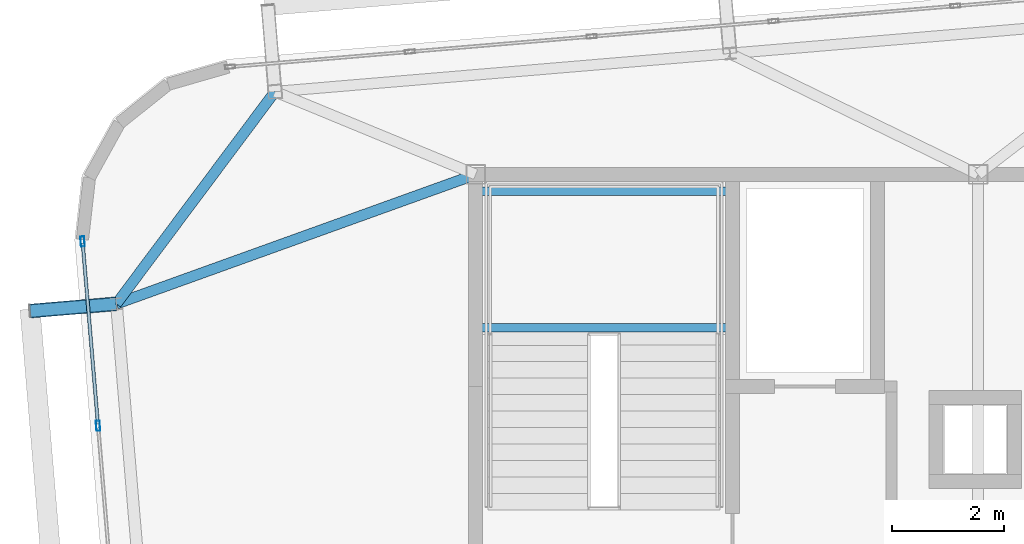
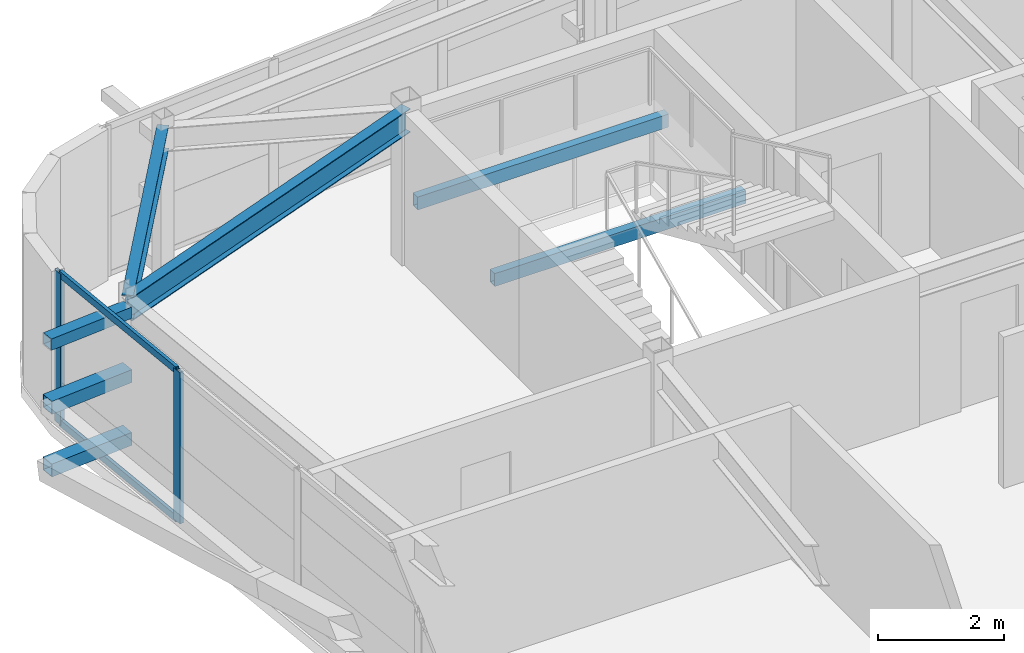
# One storey, part 17 of 46: 7 members, 4 beams, 1 element without a shape of its own.
"""IFC4 building model written with IfcOpenShell, lengths in metres."""

from ifc_helpers import new_model, si_unit, direction, frame, origin, origin_2d, place, context, subcontext, project, spatial, hollow_rectangle, i_section, extrude, source, transform, mapped, material, layer, layer_set, material_profile, profile_set, type_object, element, aggregate, save


model = new_model("IFC4")

# Units and contexts
model_context = context("Model", 3, precision=1e-05, world=origin(), true_north=direction((0.0, 1.0)))
body_context = subcontext(model_context, "Body", "Model", "MODEL_VIEW")
ifc_project = project(units=[si_unit("LENGTHUNIT", "METRE"), si_unit("AREAUNIT", "SQUARE_METRE"), si_unit("VOLUMEUNIT", "CUBIC_METRE"), si_unit("PLANEANGLEUNIT", "RADIAN"), si_unit("MASSUNIT", "GRAM", prefix="KILO")], contexts=[model_context])

# Site, building, storey
site_placement = place(None, origin())
site = spatial("IfcSite", under=ifc_project, at=site_placement, CompositionType="ELEMENT")
building_placement = place(site_placement, origin())
building = spatial("IfcBuilding", under=site, at=building_placement, Name="Taldren Reach Tower", CompositionType="ELEMENT")
storey_placement = place(building_placement, frame((0.0, 0.0, 185.14990234375)))
storey = spatial("IfcBuildingStorey", under=building, at=storey_placement, Name="L56", CompositionType="ELEMENT", Elevation=185.14990234375)

# Beams
ifc_material_1 = material(Name="Steel Gr 350 (350PLUS)", Category="steel")
ifc_material_profile_1 = material_profile(ifc_material_1, i_section(OverallWidth=0.18994140625, OverallDepth=0.4541015625, WebThickness=0.008544921875, FlangeThickness=0.0126953125, at=origin_2d()), Name="460UB67.1")
ifc_profile_set_1 = profile_set([ifc_material_profile_1], Name="Steel Gr 350 (350PLUS)")
beam_type_1 = type_object("IfcBeamType", Name="SP-UB460B", PredefinedType="SPANDREL", material=ifc_profile_set_1)
shared_shape_1 = source(origin(), body_context, "Body", "SweptSolid", [
    extrude(i_section(OverallWidth=0.18994140625, OverallDepth=0.4541015625, WebThickness=0.008544921875, FlangeThickness=0.0126953125, at=origin_2d()), origin(), (0.0, 0.0, 1.0), 4.74609375),
])
beam_1_placement = place(storey_placement, frame((15.40380859375, 33.483642578125, 2.703125), z_axis=(-0.598764719121, -0.800924972226, 0.0), x_axis=(0.800924972226, -0.598764719121, 0.0)))
element("IfcBeam", 1, at=beam_1_placement, inside=storey, type_object=beam_type_1, Name="Perimeter spandrel B4 N1-W3 L56", PredefinedType="SPANDREL", context=body_context, shape_type="MappedRepresentation", body=[
    mapped(shared_shape_1, transform((0.0, 0.0, 0.0), scale=1.0)),
])
ifc_material_profile_2 = material_profile(ifc_material_1, i_section(OverallWidth=0.19091796875, OverallDepth=0.4599609375, WebThickness=0.010009765625, FlangeThickness=0.01611328125, at=origin_2d()), Name="460UB82.1")
ifc_profile_set_2 = profile_set([ifc_material_profile_2], Name="Steel Gr 350 (350PLUS)")
beam_type_2 = type_object("IfcBeamType", Name="BM-UB460A", PredefinedType="BEAM", material=ifc_profile_set_2)
shared_shape_2 = source(origin(), body_context, "Body", "SweptSolid", [
    extrude(i_section(OverallWidth=0.19091796875, OverallDepth=0.4599609375, WebThickness=0.010009765625, FlangeThickness=0.01611328125, at=origin_2d()), origin(), (0.0, 0.0, 1.0), 6.842529296875),
])
beam_2_placement = place(storey_placement, frame((19.0, 32.0, 2.7001953125), z_axis=(-0.940889686088, -0.33871315093, 0.0), x_axis=(0.33871315093, -0.940889686088, 0.0)))
element("IfcBeam", 2, at=beam_2_placement, inside=storey, type_object=beam_type_2, Name="Primary floor girder B4-W3 L56", PredefinedType="BEAM", context=body_context, shape_type="MappedRepresentation", body=[
    mapped(shared_shape_2, transform((0.0, 0.0, 0.0), scale=1.0)),
])

# Members
ifc_material_2 = material(Name="Steel Gr 450 (C450L0)", Category="steel")
ifc_material_profile_3 = material_profile(ifc_material_2, hollow_rectangle(XDim=0.219970703125, YDim=0.219970703125, WallThickness=0.00830078125, at=origin_2d()), Name="220x220x8.2SHS")
ifc_profile_set_3 = profile_set([ifc_material_profile_3], Name="Steel Gr 450 (C450L0)")
member_type_1 = type_object("IfcMemberType", Name="MB-TIE219", PredefinedType="STRUT", material=ifc_profile_set_3)
shared_shape_3 = source(origin(), body_context, "Body", "SweptSolid", [
    extrude(hollow_rectangle(XDim=0.219970703125, YDim=0.219970703125, WallThickness=0.00830078125, at=origin_2d()), origin(), (0.0, 0.0, 1.0), 1.54541015625),
])
member_1_placement = place(storey_placement, frame((12.557373046875, 29.68212890625, 2.650146484375), z_axis=(-0.99648887425, -0.083725285883, 0.0), x_axis=(0.083725285883, -0.99648887425, 0.0)))
element("IfcMember", 3, at=member_1_placement, inside=storey, type_object=member_type_1, Name="Exoskeleton diaphragm tie strut B4-W3 L56", PredefinedType="STRUT", context=body_context, shape_type="MappedRepresentation", body=[
    mapped(shared_shape_3, transform((0.0, 0.0, 0.0), scale=1.0)),
])
ifc_material_3 = material(Name="Steel Gr 350 (C350L0)", Category="steel")
ifc_material_profile_4 = material_profile(ifc_material_3, hollow_rectangle(XDim=0.25, YDim=0.25, WallThickness=0.010009765625, at=origin_2d()), Name="250x250x10.0SHS")
ifc_profile_set_4 = profile_set([ifc_material_profile_4], Name="Steel Gr 350 (C350L0)")
member_type_2 = type_object("IfcMemberType", Name="MB-POST250", PredefinedType="POST", material=ifc_profile_set_4)
shared_shape_4 = source(origin(), body_context, "Body", "SweptSolid", [
    extrude(hollow_rectangle(XDim=0.25, YDim=0.25, WallThickness=0.010009765625, at=origin_2d()), origin(), (0.0, 0.0, 1.0), 1.54541015625),
])
for number, where, z_axis, x_axis, name in (
    (4, (12.557373046875, 29.68212890625, 0.22021484375), (-0.99648887425, -0.083725285883, 0.0), (0.083725285883, -0.99648887425, 0.0), "Exoskeleton base diaphragm tie strut B4-W3 L56"),
    (5, (12.557373046875, 29.68212890625, 1.43505859375), (-0.99648887425, -0.083725285883, 0.0), (0.083725285883, -0.99648887425, 0.0), "Exoskeleton mid-tier diaphragm tie B4-W3 L56"),
):
    element("IfcMember", number, at=place(storey_placement, frame(where, z_axis=z_axis, x_axis=x_axis)), inside=storey, type_object=member_type_2, Name=name, PredefinedType="POST", context=body_context, shape_type="MappedRepresentation", body=[
        mapped(shared_shape_4, transform((0.0, 0.0, 0.0), scale=1.0)),
    ])

# Curtain wall, members
ifc_material_4 = material(Name="Aluminium and Low-E Glass Unitised System", Category="aluminium")
ifc_layer = layer(ifc_material_4, 0.159912109375)
ifc_layer_set = layer_set([ifc_layer], Name="Aluminium and Low-E Glass Unitised System")
curtain_wall_type = type_object("IfcCurtainWallType", Name="CW-SYS-5", PredefinedType="NOTDEFINED", material=ifc_layer_set)
curtain_wall_placement = place(storey_placement, origin())
curtain_wall = element("IfcCurtainWall", 6, at=curtain_wall_placement, inside=storey, type_object=curtain_wall_type, Name="Unitised curtain wall CW-L56-W", PredefinedType="NOTDEFINED")
ifc_material_5 = material(Name="Anodised Aluminium 6063-T6", Category="aluminium")
ifc_material_profile_5 = material_profile(ifc_material_5, hollow_rectangle(XDim=0.070068359375, YDim=0.179931640625, WallThickness=0.00390625, at=origin_2d()), Name="ALU-180x70x4RHS")
ifc_profile_set_5 = profile_set([ifc_material_profile_5], Name="Anodised Aluminium 6063-T6")
member_type_3 = type_object("IfcMemberType", Name="CW-MUL-180", PredefinedType="MULLION", material=ifc_profile_set_5)
shared_shape_5 = source(origin(), body_context, "Body", "SweptSolid", [
    extrude(hollow_rectangle(XDim=0.070068359375, YDim=0.179931640625, WallThickness=0.00390625, at=origin_2d()), origin(), (0.0, 0.0, 1.0), 2.93017578125),
])
member_2_placement = place(storey_placement, frame((11.956298828125, 30.800537109375, 0.0), z_axis=(0.0, 0.0, 1.0), x_axis=(0.996492847789, 0.083677979808, 0.0)))
member_2 = element("IfcMember", 7, at=member_2_placement, type_object=member_type_3, Name="CW-5 mullion 1", PredefinedType="MULLION", context=body_context, shape_type="MappedRepresentation", body=[
    mapped(shared_shape_5, transform((0.0, 0.0, 0.0), scale=1.0)),
])
member_3_placement = place(storey_placement, frame((12.233642578125, 27.497314453125, 0.0), z_axis=(0.0, 0.0, 1.0), x_axis=(0.996492847789, 0.083677979808, 0.0)))
member_3 = element("IfcMember", 8, at=member_3_placement, type_object=member_type_3, Name="CW-5 mullion 2", PredefinedType="MULLION", context=body_context, shape_type="MappedRepresentation", body=[
    mapped(shared_shape_5, transform((0.0, 0.0, 0.0), scale=1.0)),
])
ifc_material_profile_6 = material_profile(ifc_material_5, hollow_rectangle(XDim=0.06005859375, YDim=0.135009765625, WallThickness=0.00341796875, at=origin_2d()), Name="ALU-135x60x3.5RHS")
ifc_profile_set_6 = profile_set([ifc_material_profile_6], Name="Anodised Aluminium 6063-T6")
member_type_4 = type_object("IfcMemberType", Name="CW-TRN-150", PredefinedType="USERDEFINED", material=ifc_profile_set_6)
shared_shape_6 = source(origin(), body_context, "Body", "SweptSolid", [
    extrude(hollow_rectangle(XDim=0.06005859375, YDim=0.135009765625, WallThickness=0.00341796875, at=origin_2d()), origin(), (0.0, 0.0, 1.0), 3.2451171875),
])
member_4_placement = place(storey_placement, frame((11.959228515625, 30.765869140625, 0.030029296875), z_axis=(0.083661876203, -0.996494199918, 0.0), x_axis=(0.996494199918, 0.083661876203, 0.0)))
member_4 = element("IfcMember", 9, at=member_4_placement, type_object=member_type_4, Name="CW-5 transom 1.1", ObjectType="TRANSOM", PredefinedType="USERDEFINED", context=body_context, shape_type="MappedRepresentation", body=[
    mapped(shared_shape_6, transform((0.0, 0.0, 0.0), scale=1.0)),
])
member_5_placement = place(storey_placement, frame((11.959228515625, 30.765869140625, 2.900146484375), z_axis=(0.083661876203, -0.996494199918, 0.0), x_axis=(0.996494199918, 0.083661876203, 0.0)))
member_5 = element("IfcMember", 10, at=member_5_placement, type_object=member_type_4, Name="CW-5 transom 1.2", ObjectType="TRANSOM", PredefinedType="USERDEFINED", context=body_context, shape_type="MappedRepresentation", body=[
    mapped(shared_shape_6, transform((0.0, 0.0, 0.0), scale=1.0)),
])
aggregate(curtain_wall, [member_2, member_3, member_4, member_5])

# Beams
ifc_material_profile_7 = material_profile(ifc_material_3, hollow_rectangle(XDim=0.14990234375, YDim=0.25, WallThickness=0.009033203125, at=origin_2d()), Name="250x150x9.0RHS")
ifc_profile_set_7 = profile_set([ifc_material_profile_7], Name="Steel Gr 350 (C350L0)")
beam_type_3 = type_object("IfcBeamType", Name="LN-RHS250", PredefinedType="LINTEL", material=ifc_profile_set_7)
shared_shape_7 = source(origin(), body_context, "Body", "SweptSolid", [
    extrude(hollow_rectangle(XDim=0.14990234375, YDim=0.25, WallThickness=0.009033203125, at=origin_2d()), origin(), (0.0, 0.0, 1.0), 4.60009765625),
])
for number, where, z_axis, x_axis, name in (
    (11, (19.0, 29.2548828125, 1.27001953125), (1.0, 0.0, 0.0), (0.0, 1.0, 0.0), "Stair half-landing support beam ST1-L56-1"),
    (12, (19.0, 31.699951171875, 1.27001953125), (1.0, 0.0, 0.0), (0.0, 1.0, 0.0), "Stair half-landing support beam ST1-L56-2"),
):
    element("IfcBeam", number, at=place(storey_placement, frame(where, z_axis=z_axis, x_axis=x_axis)), inside=storey, type_object=beam_type_3, Name=name, PredefinedType="LINTEL", context=body_context, shape_type="MappedRepresentation", body=[
        mapped(shared_shape_7, transform((0.0, 0.0, 0.0), scale=1.0)),
    ])

save(model, "model.ifc")
